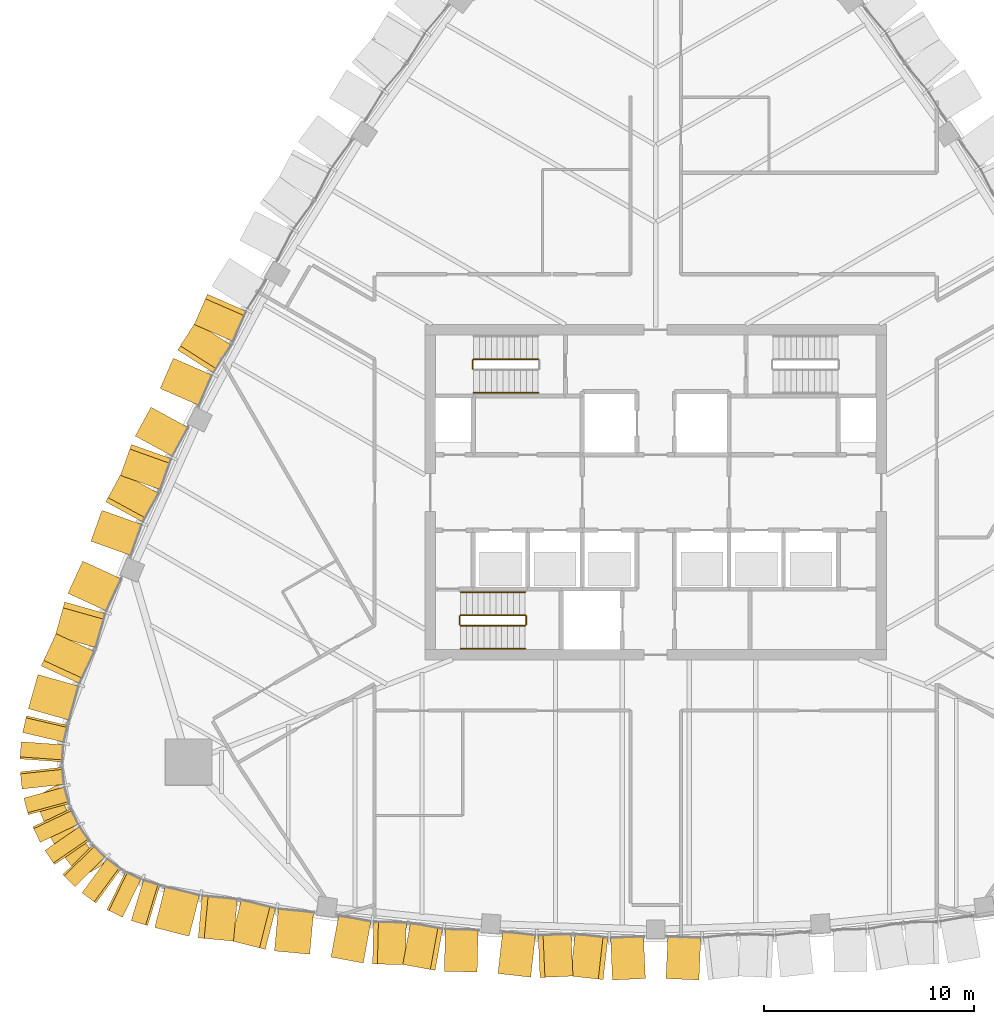
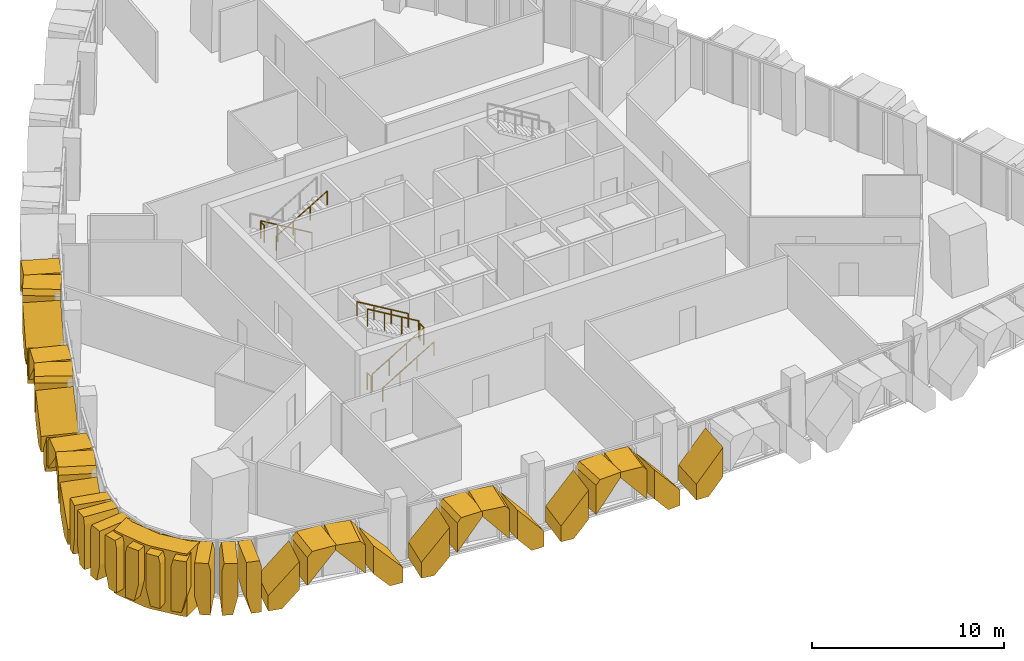
# One storey, part 16 of 19: 35 coverings, 9 railings.
"""IFC4 building model written with IfcOpenShell, lengths in metres."""

from ifc_helpers import new_model, si_unit, direction, frame, origin, origin_2d, place, context, subcontext, project, spatial, polyline, circle, outline, extrude, material, layer, layer_set, type_object, element, save


model = new_model("IFC4")

# Units and contexts
model_context = context("Model", 3, precision=1e-05, world=origin(), true_north=direction((0.0, 1.0)))
body_context = subcontext(model_context, "Body", "Model", "MODEL_VIEW")
ifc_project = project(units=[si_unit("LENGTHUNIT", "METRE"), si_unit("AREAUNIT", "SQUARE_METRE"), si_unit("VOLUMEUNIT", "CUBIC_METRE"), si_unit("PLANEANGLEUNIT", "RADIAN"), si_unit("MASSUNIT", "GRAM", prefix="KILO")], contexts=[model_context])

# Site, building, storey
site_placement = place(None, origin())
site = spatial("IfcSite", under=ifc_project, at=site_placement, CompositionType="ELEMENT")
building_placement = place(site_placement, origin())
building = spatial("IfcBuilding", under=site, at=building_placement, Name="Sierra Prisma Convention Tower", CompositionType="ELEMENT")
storey_placement = place(building_placement, frame((0.0, 0.0, 231.0)))
storey = spatial("IfcBuildingStorey", under=building, at=storey_placement, Name="L51", CompositionType="ELEMENT", Elevation=231.0)

# Coverings
ifc_material_1 = material(Name="Aluminium composite bronze anodised", Category="aluminium")
ifc_layer_1 = layer(ifc_material_1, 1.199951171875)
ifc_layer_set_1 = layer_set([ifc_layer_1], Name="Bronze corner pier")
covering_type_1 = type_object("IfcCoveringType", Name="Bronze corner pier", PredefinedType="CLADDING", material=ifc_layer_set_1)
covering_1_placement = place(storey_placement, frame((0.0, 0.0, -0.60009765625)))
element("IfcCovering", 1, at=covering_1_placement, inside=storey, type_object=covering_type_1, Name="Corner pier SW L51.1", PredefinedType="CLADDING", context=body_context, shape_type="SweptSolid", body=[
    extrude(outline(polyline([(-27.59619140625, -18.138916015625), (-28.680908203125, -16.7529296875), (-28.84912109375, -16.4619140625), (-29.507080078125, -14.82958984375), (-29.579345703125, -14.537353515625), (-28.445068359375, -13.88232421875), (-28.39404296875, -14.381103515625), (-27.736083984375, -16.013427734375), (-26.6513671875, -17.3994140625), (-26.2451171875, -17.693115234375), (-27.37939453125, -18.347900390625), (-27.59619140625, -18.138916015625)])), origin(), (0.0, 0.0, 1.0), 4.0),
])
ifc_material_2 = material(Name="Aluminium 6063-T6 bronze anodised", Category="aluminium")
ifc_layer_2 = layer(ifc_material_2, 2.0)
ifc_layer_set_2 = layer_set([ifc_layer_2], Name="Bronze crystal chevron frame")
covering_type_2 = type_object("IfcCoveringType", Name="Bronze crystal chevron frame", PredefinedType="CLADDING", material=ifc_layer_set_2)
covering_2_placement = place(storey_placement, frame((-23.88330078125, -20.74560546875, 0.0), z_axis=(-0.246357409973, -0.969179047445, 2.3344249e-05), x_axis=(0.969179047709, -0.246357410041, -1.995e-09)))
element("IfcCovering", 2, at=covering_2_placement, inside=storey, type_object=covering_type_2, Name="CW-2 chevron frame S1.1.1", PredefinedType="CLADDING", context=body_context, shape_type="SweptSolid", body=[
    extrude(outline(polyline([(0.0, 0.0), (0.7499361778394461, 0.0), (1.6887620493385727, 1.035156253651375), (1.6887620457744983, 2.8215332062896286), (-1.913796353484472e-09, 0.9592285153636323), (0.0, 0.0)])), origin(), (0.0, 0.0, -1.0), 2.0),
])
covering_3_placement = place(storey_placement, frame((-21.8095703125, -21.23681640625, 2.96484375), z_axis=(-0.091663079366, -0.995790077626, 3.437758e-05), x_axis=(-3.151155e-06, -3.4232853e-05, -0.999999999409)))
element("IfcCovering", 3, at=covering_3_placement, inside=storey, type_object=covering_type_2, Name="CW-2 chevron frame S1.1.2", PredefinedType="CLADDING", context=body_context, shape_type="SweptSolid", body=[
    extrude(outline(polyline([(0.0, 0.0), (1.7863769520694137, -7.565600677563129e-22), (-0.07592773470262558, 1.6887491335684892), (-0.31518554706124596, 1.6887491335684892), (-0.31518554945517757, 0.28586405778723556), (0.0, 0.0)])), origin(), (0.0, 0.0, -1.0), 2.0),
])
covering_4_placement = place(storey_placement, frame((-20.250244140625, -21.37060546875, 3.280029296875), z_axis=(-0.246334007298, -0.969184994761, 5.2708094e-05), x_axis=(-1.2983796e-05, -5.1083894e-05, -0.999999998611)))
element("IfcCovering", 4, at=covering_4_placement, inside=storey, type_object=covering_type_2, Name="CW-2 chevron frame S1.2.1", PredefinedType="CLADDING", context=body_context, shape_type="SweptSolid", body=[
    extrude(outline(polyline([(0.0, 0.0), (0.2392578121676538, -4.0531850015098356e-22), (2.1015624979564103, 1.6887620514950343), (0.3151855473128153, 1.6887620514950343), (-5.6275033537869475e-09, 1.4028207676107463), (0.0, 0.0)])), origin(), (0.0, 0.0, -1.0), 2.0),
])
covering_5_placement = place(storey_placement, frame((-16.4951171875, -22.0166015625, 0.0), z_axis=(-0.091688227507, -0.995787762545, -3.0042779e-05), x_axis=(-2.754569e-06, -2.9916232e-05, 0.999999999549)))
element("IfcCovering", 5, at=covering_5_placement, inside=storey, type_object=covering_type_2, Name="CW-2 chevron frame S1.2.2", PredefinedType="CLADDING", context=body_context, shape_type="SweptSolid", body=[
    extrude(outline(polyline([(0.0, 0.0), (0.9592285151921153, 0.0), (2.821533202785986, 1.6885060205094922), (1.0351562504671499, 1.6885060205094922), (-2.4780972408576685e-09, 0.7499928826093671), (0.0, 0.0)])), origin(), (0.0, 0.0, -1.0), 2.0),
])
covering_6_placement = place(storey_placement, frame((-15.478759765625, -22.154541015625, 0.0), z_axis=(-0.179725319904, -0.983716833778, -1.8100398e-05), x_axis=(0.983716833939, -0.179725319933, -1.291e-09)))
element("IfcCovering", 6, at=covering_6_placement, inside=storey, type_object=covering_type_2, Name="CW-2 chevron frame S2.1.1", PredefinedType="CLADDING", context=body_context, shape_type="SweptSolid", body=[
    extrude(outline(polyline([(0.0, 0.0), (0.7256741560746762, -4.235164736271502e-22), (1.5647895999253099, 0.9934082053082977), (1.5647895975243555, 2.852783205003709), (-1.2922153687833633e-09, 1.0007324217110678), (0.0, 0.0)])), origin(), (0.0, 0.0, -1.0), 2.0),
])
covering_7_placement = place(storey_placement, frame((-13.498291015625, -22.48095703125, 3.006591796875), z_axis=(-0.02372157401, -0.99971860285, 4.51952e-05), x_axis=(-1.072101e-06, -4.5182483e-05, -0.999999998979)))
element("IfcCovering", 7, at=covering_7_placement, inside=storey, type_object=covering_type_2, Name="CW-2 chevron frame S2.1.2", PredefinedType="CLADDING", context=body_context, shape_type="SweptSolid", body=[
    extrude(outline(polyline([(0.0, 0.0), (1.8593749981010146, 0.0), (0.007324218183994637, 1.5648931867327032), (-0.27343750027926256, 1.5648931867327032), (-0.273437504650719, 0.23101945163342516), (0.0, 0.0)])), origin(), (0.0, 0.0, -1.0), 2.0),
])
covering_8_placement = place(storey_placement, frame((-12.057373046875, -22.50537109375, 3.280029296875), z_axis=(-0.179738450354, -0.98371443486, -1.0625466e-05), x_axis=(1.909805e-06, 1.0452424e-05, -0.999999999944)))
element("IfcCovering", 8, at=covering_8_placement, inside=storey, type_object=covering_type_2, Name="CW-2 chevron frame S2.2.1", PredefinedType="CLADDING", context=body_context, shape_type="SweptSolid", body=[
    extrude(outline(polyline([(0.0, 0.0), (0.28076171873415096, 0.0), (2.132812499910474, 1.5647896013086815), (0.27343750001543565, 1.5647896013086815), (-2.416225476440848e-10, 1.3337364578838684), (0.0, 0.0)])), origin(), (0.0, 0.0, -1.0), 2.0),
])
covering_9_placement = place(storey_placement, frame((-8.5126953125, -22.868896484375, 0.0), z_axis=(-0.023695897207, -0.999719212234, 3.3842923e-05), x_axis=(8.01938e-07, 3.3833421e-05, 0.999999999427)))
element("IfcCovering", 9, at=covering_9_placement, inside=storey, type_object=covering_type_2, Name="CW-2 chevron frame S2.2.2", PredefinedType="CLADDING", context=body_context, shape_type="SweptSolid", body=[
    extrude(outline(polyline([(0.0, 0.0), (1.0007324213019089, 0.0), (2.852783202629085, 1.5646491144605126), (0.9934082036938969, 1.5646491144605126), (-3.2758053491172716e-09, 0.7252990172952721), (0.0, 0.0)])), origin(), (0.0, 0.0, -1.0), 2.0),
])
covering_10_placement = place(storey_placement, frame((-7.521240234375, -22.936279296875, 0.0), z_axis=(-0.112338998587, -0.993669938368, -5.4586235e-05), x_axis=(0.993669939849, -0.112338998753, -1.1685e-08)))
element("IfcCovering", 10, at=covering_10_placement, inside=storey, type_object=covering_type_2, Name="CW-2 chevron frame S3.1.1", PredefinedType="CLADDING", context=body_context, shape_type="SweptSolid", body=[
    extrude(outline(polyline([(0.0, 0.0), (0.7272422479336017, -8.470329472543003e-22), (1.5729512554495013, 0.9963379104899737), (1.5729512337818283, 2.8505859546024617), (-1.1659747086648076e-08, 0.997802732888445), (0.0, 0.0)])), origin(), (0.0, 0.0, -1.0), 2.0),
])
covering_11_placement = place(storey_placement, frame((-5.51513671875, -23.1279296875, 3.003662109375), z_axis=(0.044405665844, -0.999013579596, -6.8004954e-05), x_axis=(-3.019805e-06, 6.7937872e-05, -0.999999997688)))
element("IfcCovering", 11, at=covering_11_placement, inside=storey, type_object=covering_type_2, Name="CW-2 chevron frame S3.1.2", PredefinedType="CLADDING", context=body_context, shape_type="SweptSolid", body=[
    extrude(outline(polyline([(0.0, 0.0), (1.854248042587354, 0.0), (0.001464842468504718, 1.572839705469998), (-0.27636718813905403, 1.572839705469998), (-0.27636719799922876, 0.23459913979470817), (0.0, 0.0)])), origin(), (0.0, 0.0, -1.0), 2.0),
])
covering_12_placement = place(storey_placement, frame((-4.068115234375, -23.053955078125, 3.280029296875), z_axis=(-0.11237336698, -0.993666053759, -6.403e-08), x_axis=(7.195e-09, 6.3625e-08, -1.0)))
element("IfcCovering", 12, at=covering_12_placement, inside=storey, type_object=covering_type_2, Name="CW-2 chevron frame S3.2.1", PredefinedType="CLADDING", context=body_context, shape_type="SweptSolid", body=[
    extrude(outline(polyline([(0.0, 0.0), (0.27783203124999944, 0.0), (2.130615234374997, 1.5729512680323616), (0.27636718750000056, 1.5729512680323616), (-8.741290690084391e-15, 1.3383107883023881), (0.0, 0.0)])), origin(), (0.0, 0.0, -1.0), 2.0),
])
covering_13_placement = place(storey_placement, frame((-0.49072265625, -23.17578125, 0.0), z_axis=(0.044564302842, -0.999006517646, 2.4744555e-05), x_axis=(-1.102724e-06, 2.4719972e-05, 0.999999999694)))
element("IfcCovering", 13, at=covering_13_placement, inside=storey, type_object=covering_type_2, Name="CW-2 chevron frame S3.2.2", PredefinedType="CLADDING", context=body_context, shape_type="SweptSolid", body=[
    extrude(outline(polyline([(0.0, 0.0), (0.9978027340695262, -2.11292947719014e-22), (2.850585937237354, 1.5728505626122962), (0.9963378909300253, 1.5728505626122962), (-1.7462907296353597e-09, 0.7270438093719758), (0.0, 0.0)])), origin(), (0.0, 0.0, -1.0), 2.0),
])
covering_14_placement = place(storey_placement, frame((0.49072265625, -23.17578125, 0.0), z_axis=(-0.044564302842, -0.999006517646, 2.4744555e-05), x_axis=(0.999006517952, -0.044564302856, -2.402e-09)))
element("IfcCovering", 14, at=covering_14_placement, inside=storey, type_object=covering_type_2, Name="CW-2 chevron frame S4.1.1", PredefinedType="CLADDING", context=body_context, shape_type="SweptSolid", body=[
    extrude(outline(polyline([(0.0, 0.0), (0.7270438093719758, -1.0587911840678754e-22), (1.5728505602191865, 0.9963378947078643), (1.5728505557654573, 2.850585941015193), (-2.3966281564454985e-09, 0.9978027340695262), (0.0, 0.0)])), origin(), (0.0, 0.0, -1.0), 2.0),
])
covering_15_placement = place(storey_placement, frame((-21.370849609375, 9.44580078125, 3.003662109375), z_axis=(-0.91671952476, 0.399531366618, -3.361735e-06), x_axis=(3.081768e-06, -1.343119e-06, -0.999999999994)))
element("IfcCovering", 15, at=covering_15_placement, inside=storey, type_object=covering_type_2, Name="CW-2 chevron frame NW4.1.2", PredefinedType="CLADDING", context=body_context, shape_type="SweptSolid", body=[
    extrude(outline(polyline([(0.0, 0.0), (1.8542480468645224, -3.9265229702126532e-22), (0.0014648437468684245, 1.5728855593130957), (-0.27636718750156164, 1.5728855593130957), (-0.27636718752565687, 0.2346313344972441), (0.0, 0.0)])), origin(), (0.0, 0.0, -1.0), 2.0),
])
covering_16_placement = place(storey_placement, frame((-21.94091796875, 8.113525390625, 3.280029296875), z_axis=(-0.842918986683, 0.538040502084, -2.401477e-06), x_axis=(2.024251e-06, -1.292092e-06, -0.999999999997)))
element("IfcCovering", 16, at=covering_16_placement, inside=storey, type_object=covering_type_2, Name="CW-2 chevron frame NW4.2.1", PredefinedType="CLADDING", context=body_context, shape_type="SweptSolid", body=[
    extrude(outline(polyline([(0.0, 0.0), (0.27783203124919886, 0.0), (2.1306152343704503, 1.5727291205890568), (0.2763671875007969, 1.5727291205890568), (-1.2295903812131734e-11, 1.3381267478366685), (0.0, 0.0)])), origin(), (0.0, 0.0, -1.0), 2.0),
])
covering_17_placement = place(storey_placement, frame((-23.6240234375, 4.95458984375, 0.0), z_axis=(-0.916716046078, 0.399539348122, -1.28124e-05), x_axis=(-1.1745333e-05, 5.119058e-06, 0.999999999918)))
element("IfcCovering", 17, at=covering_17_placement, inside=storey, type_object=covering_type_2, Name="CW-2 chevron frame NW4.2.2", PredefinedType="CLADDING", context=body_context, shape_type="SweptSolid", body=[
    extrude(outline(polyline([(0.0, 0.0), (0.9978027342931015, 0.0), (2.8505859374295834, 1.572885559261568), (0.9963378907067781, 1.572885559261568), (-4.681858079194381e-10, 0.7270719312266496), (0.0, 0.0)])), origin(), (0.0, 0.0, -1.0), 2.0),
])
covering_18_placement = place(storey_placement, frame((-24.0615234375, 4.062255859375, 0.0), z_axis=(-0.877651215788, 0.479299846662, -2.0372925e-05), x_axis=(-0.479299846761, -0.877651215971, -1.636e-09)))
element("IfcCovering", 18, at=covering_18_placement, inside=storey, type_object=covering_type_2, Name="CW-2 chevron frame NW5.1.1", PredefinedType="CLADDING", context=body_context, shape_type="SweptSolid", body=[
    extrude(outline(polyline([(0.0, 0.0), (0.7254485725193602, 0.0), (1.5647454131901082, 0.993408205891668), (1.564745410147476, 2.852783205505795), (-1.6375721287816338e-09, 1.0007324216673197), (0.0, 0.0)])), origin(), (0.0, 0.0, -1.0), 2.0),
])
covering_19_placement = place(storey_placement, frame((-24.992919921875, 2.284423828125, 3.006591796875), z_axis=(-0.941844748945, 0.336048313203, -8.859306e-06), x_axis=(8.344091e-06, -2.977155e-06, -0.999999999961)))
element("IfcCovering", 19, at=covering_19_placement, inside=storey, type_object=covering_type_2, Name="CW-2 chevron frame NW5.1.2", PredefinedType="CLADDING", context=body_context, shape_type="SweptSolid", body=[
    extrude(outline(polyline([(0.0, 0.0), (1.8593749999270315, 7.874759431504823e-22), (0.0073242187282511985, 1.5648839883473349), (-0.2734375000107307, 1.5648839883473349), (-0.2734375001787042, 0.23096851439099486), (0.0, 0.0)])), origin(), (0.0, 0.0, -1.0), 2.0),
])
covering_20_placement = place(storey_placement, frame((-25.468017578125, 0.924072265625, 3.280029296875), z_axis=(-0.877583626248, 0.479423587623, 5.0717033e-05), x_axis=(-4.4508438e-05, 2.4314942e-05, -0.999999998714)))
element("IfcCovering", 20, at=covering_20_placement, inside=storey, type_object=covering_type_2, Name="CW-2 chevron frame NW5.2.1", PredefinedType="CLADDING", context=body_context, shape_type="SweptSolid", body=[
    extrude(outline(polyline([(0.0, 0.0), (0.2807617183889099, 0.0), (2.132812497960312, 1.5648624488900515), (0.27343750035167036, 1.5648624488900515), (-5.504897006965647e-09, 1.3338925465991935), (0.0, 0.0)])), origin(), (0.0, 0.0, -1.0), 2.0),
])
covering_21_placement = place(storey_placement, frame((-26.925537109375, -2.32763671875, 0.0), z_axis=(-0.941819085351, 0.336120230314, -3.5242155e-05), x_axis=(-3.3191734e-05, 1.1845601e-05, 0.999999999379)))
element("IfcCovering", 21, at=covering_21_placement, inside=storey, type_object=covering_type_2, Name="CW-2 chevron frame NW5.2.2", PredefinedType="CLADDING", context=body_context, shape_type="SweptSolid", body=[
    extrude(outline(polyline([(0.0, 0.0), (1.0007324212535404, 1.6953066654274302e-21), (2.8527832025872306, 1.5646540476698572), (0.9934082037419112, 1.5646540476698572), (-3.5522805822317744e-09, 0.7253403107278251), (0.0, 0.0)])), origin(), (0.0, 0.0, -1.0), 2.0),
])
covering_22_placement = place(storey_placement, frame((-27.314453125, -3.27685546875, 0.0), z_axis=(-0.908213642206, 0.418506842781, -5.1534868e-05), x_axis=(-0.418506843336, -0.908213643413, -9.723e-09)))
element("IfcCovering", 22, at=covering_22_placement, inside=storey, type_object=covering_type_2, Name="CW-2 chevron frame NW6.1.1", PredefinedType="CLADDING", context=body_context, shape_type="SweptSolid", body=[
    extrude(outline(polyline([(0.0, 0.0), (0.7499261129902686, -1.6940658945086007e-21), (1.688714691930811, 1.0351562677947996), (1.688714674561, 2.8215332185476316), (-9.327044905977172e-09, 0.9592285143512201), (0.0, 0.0)])), origin(), (0.0, 0.0, -1.0), 2.0),
])
covering_23_placement = place(storey_placement, frame((-28.174560546875, -5.2265625, 2.96484375), z_axis=(-0.962518444531, 0.271216225065, 5.6564323e-05), x_axis=(-5.4444205e-05, 1.5341162e-05, -0.9999999984)))
element("IfcCovering", 23, at=covering_23_placement, inside=storey, type_object=covering_type_2, Name="CW-2 chevron frame NW6.1.2", PredefinedType="CLADDING", context=body_context, shape_type="SweptSolid", body=[
    extrude(outline(polyline([(0.0, 0.0), (1.7863769502672233, -6.0524805420505035e-21), (-0.07592773526197705, 1.6887816047299506), (-0.31518554737922166, 1.6887816047299506), (-0.315185553860286, 0.2858236895031002), (0.0, 0.0)])), origin(), (0.0, 0.0, -1.0), 2.0),
])
covering_24_placement = place(storey_placement, frame((-28.589599609375, -6.735595703125, 3.280029296875), z_axis=(-0.908201380464, 0.418533454306, 1.2266844e-05), x_axis=(-1.1140765e-05, 5.134085e-06, -0.999999999925)))
element("IfcCovering", 24, at=covering_24_placement, inside=storey, type_object=covering_type_2, Name="CW-2 chevron frame NW6.2.1", PredefinedType="CLADDING", context=body_context, shape_type="SweptSolid", body=[
    extrude(outline(polyline([(0.0, 0.0), (0.2392578124819988, 0.0), (2.101562499889311, 1.688714702834325), (0.3151855468987138, 1.688714702834325), (-3.048083279968793e-10, 1.4029482330757939), (0.0, 0.0)])), origin(), (0.0, 0.0, -1.0), 2.0),
])
covering_25_placement = place(storey_placement, frame((-29.907958984375, -10.310791015625, 0.0), z_axis=(-0.962479016172, 0.271356117825, -2.7339417e-05), x_axis=(-2.6313615e-05, 7.418718e-06, 0.999999999626)))
element("IfcCovering", 25, at=covering_25_placement, inside=storey, type_object=covering_type_2, Name="CW-2 chevron frame NW6.2.2", PredefinedType="CLADDING", context=body_context, shape_type="SweptSolid", body=[
    extrude(outline(polyline([(0.0, 0.0), (0.9592285152665153, 0.0), (2.8215332028442526, 1.6888478333535661), (1.0351562503868605, 1.6888478333535661), (-2.0521854972337843e-09, 0.7500882456628383), (0.0, 0.0)])), origin(), (0.0, 0.0, -1.0), 2.0),
])
covering_26_placement = place(storey_placement, frame((-29.9951171875, -10.64990234375, 0.0), z_axis=(-0.973824023512, 0.227303258112, -9.046633e-06), x_axis=(-0.227303258121, -0.973824023552, -6.84e-10)))
element("IfcCovering", 26, at=covering_26_placement, inside=storey, type_object=covering_type_2, Name="CW-2 chevron frame SW1.1.1", PredefinedType="CLADDING", context=body_context, shape_type="SweptSolid", body=[
    extrude(outline(polyline([(0.0, 0.0), (0.5565508837872972, 0.0), (0.820553153115876, 1.1164550787245764), (0.8205531516357351, 3.2800292973860414), (0.09877894429580213, 3.2800292968841704), (-1.958155191578119e-09, 2.8623046873828724), (0.0, 0.0)])), origin(), (0.0, 0.0, -1.0), 2.0),
])
covering_27_placement = place(storey_placement, frame((-30.248046875, -11.887451171875, 3.280029296875), z_axis=(-0.997404462544, 0.07200234786, 2.36219e-07), x_axis=(-2.35606e-07, 1.7008e-08, -1.0)))
element("IfcCovering", 27, at=covering_27_placement, inside=storey, type_object=covering_type_2, Name="CW-2 chevron frame SW1.1.2", PredefinedType="CLADDING", context=body_context, shape_type="SweptSolid", body=[
    extrude(outline(polyline([(0.0, 0.0), (2.1635742187499396, 7.158666590278253e-24), (3.2800292968852327, 0.2638716293348368), (3.2800292968760627, 0.8204893375560413), (0.4177246093761423, 0.8204893375560413), (1.0624625710859928e-11, 0.7216027479672451), (0.0, 0.0)])), origin(), (0.0, 0.0, -1.0), 2.0),
])
covering_28_placement = place(storey_placement, frame((-30.296142578125, -13.32275390625, 0.0), z_axis=(-0.994179435476, -0.107736948512, -1.346536e-06), x_axis=(0.107736948512, -0.994179435477, -2.58e-10)))
element("IfcCovering", 28, at=covering_28_placement, inside=storey, type_object=covering_type_2, Name="CW-2 chevron frame SW2.1.1", PredefinedType="CLADDING", context=body_context, shape_type="SweptSolid", body=[
    extrude(outline(polyline([(0.0, 0.0), (0.5564731177062462, 0.0), (0.8204478193631503, 1.1164550783538898), (0.8204478188055959, 3.2800292971019287), (0.098730604329606, 3.2800292967549125), (-7.376175315673633e-10, 2.862304687497405), (0.0, 0.0)])), origin(), (0.0, 0.0, -1.0), 2.0),
])
covering_29_placement = place(storey_placement, frame((-30.12548828125, -14.57421875, 3.280029296875), z_axis=(-0.965100123129, -0.261881179744, -5.752625e-06), x_axis=(5.551859e-06, 1.506504e-06, -0.999999999983)))
element("IfcCovering", 29, at=covering_29_placement, inside=storey, type_object=covering_type_2, Name="CW-2 chevron frame SW2.1.2", PredefinedType="CLADDING", context=body_context, shape_type="SweptSolid", body=[
    extrude(outline(polyline([(0.0, 0.0), (2.1635742187142006, 4.581546617778082e-22), (3.2800292967944142, 0.2638456548604838), (3.28002929683118, 0.8203796722500736), (0.4177246093785407, 0.8203796722500736), (-2.2402445838407893e-10, 0.7217106163224133), (0.0, 0.0)])), origin(), (0.0, 0.0, -1.0), 2.0),
])
covering_30_placement = place(storey_placement, frame((-29.696044921875, -15.944580078125, 0.0), z_axis=(-0.902553337185, -0.43057806896, 8.185814e-06), x_axis=(0.430578068974, -0.902553337215, -1.057e-09)))
element("IfcCovering", 30, at=covering_30_placement, inside=storey, type_object=covering_type_2, Name="CW-2 chevron frame SW3.1.1", PredefinedType="CLADDING", context=body_context, shape_type="SweptSolid", body=[
    extrude(outline(polyline([(0.0, 0.0), (0.5563841065223468, 2.117582368135751e-22), (0.8204323077993372, 1.1164550790574845), (0.8204323055124947, 3.280029297734997), (0.09871888131949193, 3.2800292966361977), (-3.0253828035673055e-09, 2.8623046874041025), (0.0, 0.0)])), origin(), (0.0, 0.0, -1.0), 2.0),
])
covering_31_placement = place(storey_placement, frame((-29.12109375, -17.069091796875, 3.280029296875), z_axis=(-0.824225520206, -0.566261681099, 1.8956841e-05), x_axis=(-1.5624712e-05, -1.0734533e-05, -0.99999999982)))
element("IfcCovering", 31, at=covering_31_placement, inside=storey, type_object=covering_type_2, Name="CW-2 chevron frame SW3.1.2", PredefinedType="CLADDING", context=body_context, shape_type="SweptSolid", body=[
    extrude(outline(polyline([(0.0, 0.0), (2.1635742183612474, 3.665237294222466e-21), (3.2800292968092664, 0.26390065613543645), (3.280029296487853, 0.8204835621843465), (0.4177246095021539, 0.8204835621843465), (-1.5738698093011096e-09, 0.7216150932406487), (0.0, 0.0)])), origin(), (0.0, 0.0, -1.0), 2.0),
])
covering_32_placement = place(storey_placement, frame((-28.2626953125, -18.22021484375, 0.0), z_axis=(-0.709365080732, -0.704841244639, 4.5764266e-05), x_axis=(0.704841245377, -0.709365081475, -9.702e-09)))
element("IfcCovering", 32, at=covering_32_placement, inside=storey, type_object=covering_type_2, Name="CW-2 chevron frame SW4.1.1", PredefinedType="CLADDING", context=body_context, shape_type="SweptSolid", body=[
    extrude(outline(polyline([(0.0, 0.0), (0.5567462361197917, 0.0), (0.8205310596109205, 1.1164550865294351), (0.8205310386199842, 3.280029303013775), (0.09891900493530913, 3.2800293009804937), (-2.7769999628642545e-08, 2.8623046845026403), (0.0, 0.0)])), origin(), (0.0, 0.0, -1.0), 2.0),
])
covering_33_placement = place(storey_placement, frame((-27.34814453125, -19.09130859375, 3.280029296875), z_axis=(-0.590480603243, -0.80705183055, 1.65315e-07), x_axis=(-9.7615e-08, -1.33418e-07, -1.0)))
element("IfcCovering", 33, at=covering_33_placement, inside=storey, type_object=covering_type_2, Name="CW-2 chevron frame SW4.1.2", PredefinedType="CLADDING", context=body_context, shape_type="SweptSolid", body=[
    extrude(outline(polyline([(0.0, 0.0), (2.1635742187499702, 2.863466636111301e-23), (3.2800292968836953, 0.26412923670465144), (3.280029296875924, 0.820711819755606), (0.41772460937596323, 0.820711819755606), (9.112384094600318e-12, 0.7218273439829347), (0.0, 0.0)])), origin(), (0.0, 0.0, -1.0), 2.0),
])
covering_34_placement = place(storey_placement, frame((-26.156982421875, -19.893798828125, 0.0), z_axis=(-0.436568118344, -0.899671205207, -2.3802935e-05), x_axis=(0.899671205462, -0.436568118468, -2.384e-09)))
element("IfcCovering", 34, at=covering_34_placement, inside=storey, type_object=covering_type_2, Name="CW-2 chevron frame SW5.1.1", PredefinedType="CLADDING", context=body_context, shape_type="SweptSolid", body=[
    extrude(outline(polyline([(0.0, 0.0), (0.5565456348335119, 8.470329472543003e-22), (0.8203494807128289, 1.1164550801846065), (0.8203494755538405, 3.2800292983216877), (0.09881661223670804, 3.2800292981050028), (-6.8250935935126755e-09, 2.862304686689138), (0.0, 0.0)])), origin(), (0.0, 0.0, -1.0), 2.0),
])
covering_35_placement = place(storey_placement, frame((-25.005859375, -20.41357421875, 3.280029296875), z_axis=(-0.290142546236, -0.956983439151, 7.334765e-06), x_axis=(-2.128127e-06, -7.019249e-06, -0.999999999973)))
element("IfcCovering", 35, at=covering_35_placement, inside=storey, type_object=covering_type_2, Name="CW-2 chevron frame SW5.1.2", PredefinedType="CLADDING", context=body_context, shape_type="SweptSolid", body=[
    extrude(outline(polyline([(0.0, 0.0), (2.163574218691801, 0.0), (3.280029295942311, 0.26375378249106335), (3.2800292967159006, 0.8204462214309443), (0.41772460929289507, 0.8204462214309443), (-1.2149206193845864e-09, 0.7216695096589002), (0.0, 0.0)])), origin(), (0.0, 0.0, -1.0), 2.0),
])

# Railings
ifc_material_3 = material(Name="Stainless steel", Category="steel")
railing_type_1 = type_object("IfcRailingType", Name="Exit stair handrail", PredefinedType="HANDRAIL", material=ifc_material_3)
railing_1_placement = place(storey_placement, frame((-9.300048828125, -7.449951171875, 0.166748046875)))
element("IfcRailing", 36, at=railing_1_placement, inside=storey, type_object=railing_type_1, Name="L51 S1 stair handrail 1", PredefinedType="HANDRAIL", context=body_context, shape_type="SweptSolid", body=[
    extrude(circle(Radius=0.02392578125, at=origin_2d()), frame((0.0, 0.0, 0.8759765625), z_axis=(0.859308565015, 0.0, 0.511457515432), x_axis=(0.0, 1.0, 0.0)), (0.0, 0.0, 1.0), 3.58447265625),
    extrude(circle(Radius=0.02099609375, at=origin_2d()), origin(), (0.0, 0.0, 1.0), 0.851806640625),
    extrude(circle(Radius=0.02099609375, at=origin_2d()), frame((1.026611328125, 0.0, 0.611083984375)), (0.0, 0.0, 1.0), 0.851806640625),
    extrude(circle(Radius=0.02099609375, at=origin_2d()), frame((2.053466796875, 0.0, 1.22216796875)), (0.0, 0.0, 1.0), 0.851806640625),
    extrude(circle(Radius=0.02099609375, at=origin_2d()), frame((3.080078125, 0.0, 1.833251953125)), (0.0, 0.0, 1.0), 0.851806640625),
])
railing_2_placement = place(storey_placement, frame((-6.219970703125, -4.75, 2.166748046875)))
element("IfcRailing", 37, at=railing_2_placement, inside=storey, type_object=railing_type_1, Name="L51 S1 stair handrail 2", PredefinedType="HANDRAIL", context=body_context, shape_type="SweptSolid", body=[
    extrude(circle(Radius=0.02392578125, at=origin_2d()), frame((0.0, 0.0, 0.8759765625), z_axis=(-0.859308565015, 0.0, 0.511457515432), x_axis=(0.0, -1.0, 0.0)), (0.0, 0.0, 1.0), 3.58447265625),
    extrude(circle(Radius=0.02099609375, at=origin_2d()), origin(), (0.0, 0.0, 1.0), 0.851806640625),
    extrude(circle(Radius=0.02099609375, at=origin_2d()), frame((-1.026611328125, 0.0, 0.611083984375)), (0.0, 0.0, 1.0), 0.851806640625),
    extrude(circle(Radius=0.02099609375, at=origin_2d()), frame((-2.053466796875, 0.0, 1.22216796875)), (0.0, 0.0, 1.0), 0.851806640625),
    extrude(circle(Radius=0.02099609375, at=origin_2d()), frame((-3.080078125, 0.0, 1.833251953125)), (0.0, 0.0, 1.0), 0.851806640625),
])
railing_3_placement = place(storey_placement, frame((-8.679931640625, 4.75, 2.166748046875)))
element("IfcRailing", 38, at=railing_3_placement, inside=storey, type_object=railing_type_1, Name="L51 S3 stair handrail 2", PredefinedType="HANDRAIL", context=body_context, shape_type="SweptSolid", body=[
    extrude(circle(Radius=0.02392578125, at=origin_2d()), frame((0.0, 0.0, 0.8759765625), z_axis=(0.859290745958, 0.0, 0.51148745235), x_axis=(0.0, 1.0, 0.0)), (0.0, 0.0, 1.0), 3.584228515625),
    extrude(circle(Radius=0.02099609375, at=origin_2d()), origin(), (0.0, 0.0, 1.0), 0.851806640625),
    extrude(circle(Radius=0.02099609375, at=origin_2d()), frame((1.026611328125, 0.0, 0.611083984375)), (0.0, 0.0, 1.0), 0.851806640625),
    extrude(circle(Radius=0.02099609375, at=origin_2d()), frame((2.05322265625, 0.0, 1.22216796875)), (0.0, 0.0, 1.0), 0.851806640625),
    extrude(circle(Radius=0.02099609375, at=origin_2d()), frame((3.079833984375, 0.0, 1.833251953125)), (0.0, 0.0, 1.0), 0.851806640625),
])
ifc_material_4 = material(Name="Stainless steel", Category="steel")
railing_type_2 = type_object("IfcRailingType", Name="Stair guard 1100", PredefinedType="GUARDRAIL", material=ifc_material_4)
railing_4_placement = place(storey_placement, frame((-9.300048828125, -6.35009765625, 0.166748046875)))
element("IfcRailing", 39, at=railing_4_placement, inside=storey, type_object=railing_type_2, Name="L51 S1 stair guard 1", PredefinedType="GUARDRAIL", context=body_context, shape_type="SweptSolid", body=[
    extrude(circle(Radius=0.02392578125, at=origin_2d()), frame((0.0, 0.0, 1.076171875), z_axis=(0.859308565015, 0.0, 0.511457515432), x_axis=(0.0, 1.0, 0.0)), (0.0, 0.0, 1.0), 3.58447265625),
    extrude(circle(Radius=0.02099609375, at=origin_2d()), origin(), (0.0, 0.0, 1.0), 1.052001953125),
    extrude(circle(Radius=0.02099609375, at=origin_2d()), frame((1.026611328125, 0.0, 0.611083984375)), (0.0, 0.0, 1.0), 1.052001953125),
    extrude(circle(Radius=0.02099609375, at=origin_2d()), frame((2.053466796875, 0.0, 1.22216796875)), (0.0, 0.0, 1.0), 1.052001953125),
    extrude(circle(Radius=0.02099609375, at=origin_2d()), frame((3.080078125, 0.0, 1.833251953125)), (0.0, 0.0, 1.0), 1.052001953125),
])
railing_5_placement = place(storey_placement, frame((-6.169921875, -6.300048828125, 2.0)))
element("IfcRailing", 40, at=railing_5_placement, inside=storey, type_object=railing_type_2, Name="L51 S1 stair guard 2", PredefinedType="GUARDRAIL", context=body_context, shape_type="SweptSolid", body=[
    extrude(circle(Radius=0.02392578125, at=origin_2d()), frame((0.0, 0.0, 1.076171875), z_axis=(0.0, 1.0, 0.0), x_axis=(-1.0, 0.0, 0.0)), (0.0, 0.0, 1.0), 0.400146484375),
    extrude(circle(Radius=0.02099609375, at=origin_2d()), origin(), (0.0, 0.0, 1.0), 1.052001953125),
    extrude(circle(Radius=0.02099609375, at=origin_2d()), frame((0.0, 0.400146484375, 0.0)), (0.0, 0.0, 1.0), 1.052001953125),
])
railing_6_placement = place(storey_placement, frame((-6.219970703125, -5.85009765625, 2.166748046875)))
element("IfcRailing", 41, at=railing_6_placement, inside=storey, type_object=railing_type_2, Name="L51 S1 stair guard 3", PredefinedType="GUARDRAIL", context=body_context, shape_type="SweptSolid", body=[
    extrude(circle(Radius=0.02392578125, at=origin_2d()), frame((0.0, 0.0, 1.076171875), z_axis=(-0.859308565015, 0.0, 0.511457515432), x_axis=(0.0, -1.0, 0.0)), (0.0, 0.0, 1.0), 3.58447265625),
    extrude(circle(Radius=0.02099609375, at=origin_2d()), origin(), (0.0, 0.0, 1.0), 1.052001953125),
    extrude(circle(Radius=0.02099609375, at=origin_2d()), frame((-1.026611328125, 0.0, 0.611083984375)), (0.0, 0.0, 1.0), 1.052001953125),
    extrude(circle(Radius=0.02099609375, at=origin_2d()), frame((-2.053466796875, 0.0, 1.22216796875)), (0.0, 0.0, 1.0), 1.052001953125),
    extrude(circle(Radius=0.02099609375, at=origin_2d()), frame((-3.080078125, 0.0, 1.833251953125)), (0.0, 0.0, 1.0), 1.052001953125),
])
railing_7_placement = place(storey_placement, frame((-9.35009765625, -6.300048828125, 0.0)))
element("IfcRailing", 42, at=railing_7_placement, inside=storey, type_object=railing_type_2, Name="L51 S1 stair guard 4", PredefinedType="GUARDRAIL", context=body_context, shape_type="SweptSolid", body=[
    extrude(circle(Radius=0.02392578125, at=origin_2d()), frame((0.0, 0.0, 1.076171875), z_axis=(0.0, 1.0, 0.0), x_axis=(-1.0, 0.0, 0.0)), (0.0, 0.0, 1.0), 0.400146484375),
    extrude(circle(Radius=0.02099609375, at=origin_2d()), origin(), (0.0, 0.0, 1.0), 1.052001953125),
    extrude(circle(Radius=0.02099609375, at=origin_2d()), frame((0.0, 0.400146484375, 0.0)), (0.0, 0.0, 1.0), 1.052001953125),
])
railing_8_placement = place(storey_placement, frame((-5.60009765625, 6.35009765625, 0.166748046875)))
element("IfcRailing", 43, at=railing_8_placement, inside=storey, type_object=railing_type_2, Name="L51 S3 stair guard 1", PredefinedType="GUARDRAIL", context=body_context, shape_type="SweptSolid", body=[
    extrude(circle(Radius=0.02392578125, at=origin_2d()), frame((0.0, 0.0, 1.076171875), z_axis=(-0.859290745958, 0.0, 0.51148745235), x_axis=(0.0, -1.0, 0.0)), (0.0, 0.0, 1.0), 3.584228515625),
    extrude(circle(Radius=0.02099609375, at=origin_2d()), origin(), (0.0, 0.0, 1.0), 1.052001953125),
    extrude(circle(Radius=0.02099609375, at=origin_2d()), frame((-1.026611328125, 0.0, 0.611083984375)), (0.0, 0.0, 1.0), 1.052001953125),
    extrude(circle(Radius=0.02099609375, at=origin_2d()), frame((-2.05322265625, 0.0, 1.22216796875)), (0.0, 0.0, 1.0), 1.052001953125),
    extrude(circle(Radius=0.02099609375, at=origin_2d()), frame((-3.079833984375, 0.0, 1.833251953125)), (0.0, 0.0, 1.0), 1.052001953125),
])
railing_9_placement = place(storey_placement, frame((-8.72998046875, 6.300048828125, 2.0)))
element("IfcRailing", 44, at=railing_9_placement, inside=storey, type_object=railing_type_2, Name="L51 S3 stair guard 2", PredefinedType="GUARDRAIL", context=body_context, shape_type="SweptSolid", body=[
    extrude(circle(Radius=0.02392578125, at=origin_2d()), frame((0.0, 0.0, 1.076171875), z_axis=(0.0, -1.0, 0.0), x_axis=(1.0, 0.0, 0.0)), (0.0, 0.0, 1.0), 0.400146484375),
    extrude(circle(Radius=0.02099609375, at=origin_2d()), origin(), (0.0, 0.0, 1.0), 1.052001953125),
    extrude(circle(Radius=0.02099609375, at=origin_2d()), frame((0.0, -0.400146484375, 0.0)), (0.0, 0.0, 1.0), 1.052001953125),
])

save(model, "model.ifc")
